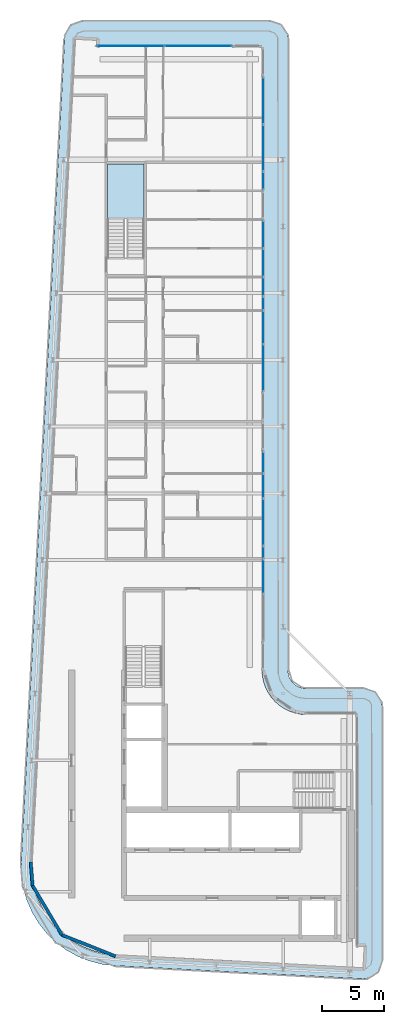
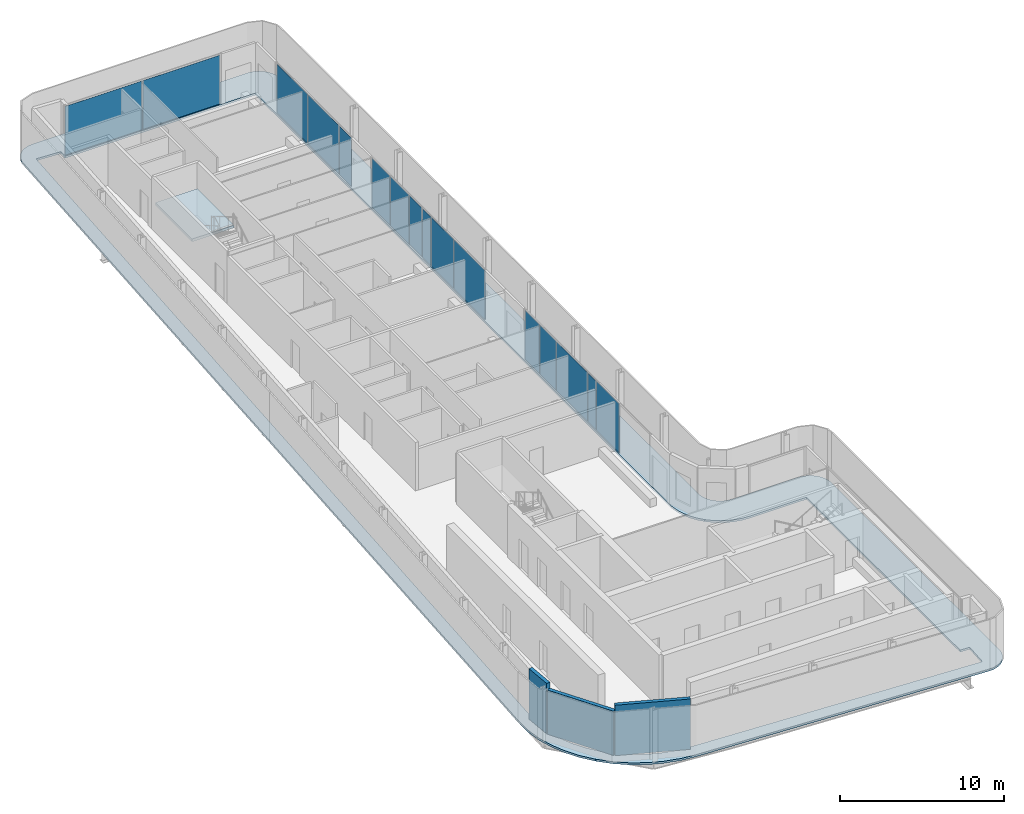
# One storey, part 8 of 18: 16 plates, 3 walls, 2 slabs, 8 elements without a shape of their own.
"""IFC4 building model written with IfcOpenShell, lengths in metres."""

from ifc_helpers import new_model, si_unit, direction, frame, frame_2d, origin, origin_2d, place, context, subcontext, project, spatial, polyline, rectangle, outline, extrude, material, layer, layer_set, type_object, element, aggregate, save


model = new_model("IFC4")

# Units and contexts
model_context = context("Model", 3, precision=1e-05, world=origin(), true_north=direction((0.0, 1.0)))
body_context = subcontext(model_context, "Body", "Model", "MODEL_VIEW")
ifc_project = project(units=[si_unit("LENGTHUNIT", "METRE"), si_unit("AREAUNIT", "SQUARE_METRE"), si_unit("VOLUMEUNIT", "CUBIC_METRE"), si_unit("PLANEANGLEUNIT", "RADIAN"), si_unit("MASSUNIT", "GRAM", prefix="KILO")], contexts=[model_context])

# Site, building, storey
site_placement = place(None, origin())
site = spatial("IfcSite", under=ifc_project, at=site_placement, CompositionType="ELEMENT")
building_placement = place(site_placement, origin())
building = spatial("IfcBuilding", under=site, at=building_placement, Name="Kheshtan School and Residences Tower", CompositionType="ELEMENT")
storey_placement = place(building_placement, frame((0.0, 0.0, 369.5)))
storey = spatial("IfcBuildingStorey", under=building, at=storey_placement, Name="L87", CompositionType="ELEMENT", Elevation=369.5)

# Curtain wall, plates
ifc_material_1 = material(Name="Clear low-e glass in thermally broken aluminium frame", Category="aluminium")
ifc_layer_1 = layer(ifc_material_1, 0.199951171875)
ifc_layer_set_1 = layer_set([ifc_layer_1], Name="Curtain wall CW-L")
curtain_wall_type = type_object("IfcCurtainWallType", Name="Curtain wall CW-L", PredefinedType="NOTDEFINED", material=ifc_layer_set_1)
curtain_wall_1_placement = place(storey_placement, origin())
curtain_wall_1 = element("IfcCurtainWall", 1, at=curtain_wall_1_placement, inside=storey, type_object=curtain_wall_type, Name="Curtain wall CWL7", PredefinedType="NOTDEFINED")
ifc_layer_2 = layer(ifc_material_1, 0.031982421875)
ifc_layer_set_2 = layer_set([ifc_layer_2], Name="CW-L glass panel")
plate_type = type_object("IfcPlateType", Name="CW-L glass panel", PredefinedType="CURTAIN_PANEL", material=ifc_layer_set_2)
plate_1_placement = place(storey_placement, frame((35.259033203125, 98.0, 0.0), z_axis=(0.0, 0.0, 1.0), x_axis=(1.0, 0.0, 0.0)))
plate_1 = element("IfcPlate", 2, at=plate_1_placement, type_object=plate_type, Name="CWL7 panel 1.1", PredefinedType="CURTAIN_PANEL", context=body_context, shape_type="SweptSolid", body=[
    extrude(rectangle(XDim=5.4140625, YDim=0.031982421875, at=origin_2d()), origin(), (0.0, 0.0, 1.0), 3.6298828125),
])
plate_2_placement = place(storey_placement, frame((40.73291015625, 98.0, 0.0), z_axis=(0.0, 0.0, 1.0), x_axis=(1.0, 0.0, 0.0)))
plate_2 = element("IfcPlate", 3, at=plate_2_placement, type_object=plate_type, Name="CWL7 panel 2.1", PredefinedType="CURTAIN_PANEL", context=body_context, shape_type="SweptSolid", body=[
    extrude(rectangle(XDim=5.4140625, YDim=0.031982421875, at=origin_2d()), origin(), (0.0, 0.0, 1.0), 3.6298828125),
])
aggregate(curtain_wall_1, [plate_1, plate_2])

curtain_wall_2_placement = place(storey_placement, origin())
curtain_wall_2 = element("IfcCurtainWall", 4, at=curtain_wall_2_placement, inside=storey, type_object=curtain_wall_type, Name="Curtain wall CWL8", PredefinedType="NOTDEFINED")
plate_3_placement = place(storey_placement, frame((46.0, 93.5615234375, 0.0), z_axis=(0.0, 0.0, 1.0), x_axis=(0.0, -1.0, 0.0)))
plate_3 = element("IfcPlate", 5, at=plate_3_placement, type_object=plate_type, Name="CWL8 panel 1.1", PredefinedType="CURTAIN_PANEL", context=body_context, shape_type="SweptSolid", body=[
    extrude(rectangle(XDim=3.757080078125, YDim=0.031982421875, at=origin_2d()), origin(), (0.0, 0.0, 1.0), 3.6298828125),
])
plate_4_placement = place(storey_placement, frame((46.0, 89.744384765625, 0.0), z_axis=(0.0, 0.0, 1.0), x_axis=(0.0, -1.0, 0.0)))
plate_4 = element("IfcPlate", 6, at=plate_4_placement, type_object=plate_type, Name="CWL8 panel 2.1", PredefinedType="CURTAIN_PANEL", context=body_context, shape_type="SweptSolid", body=[
    extrude(rectangle(XDim=3.757080078125, YDim=0.031982421875, at=origin_2d()), origin(), (0.0, 0.0, 1.0), 3.6298828125),
])
aggregate(curtain_wall_2, [plate_3, plate_4])

# Curtain wall, plate
curtain_wall_3_placement = place(storey_placement, origin())
curtain_wall_3 = element("IfcCurtainWall", 7, at=curtain_wall_3_placement, inside=storey, type_object=curtain_wall_type, Name="Curtain wall CWL8a", PredefinedType="NOTDEFINED")
plate_5_placement = place(storey_placement, frame((46.0, 87.0859375, 0.0), z_axis=(0.0, 0.0, 1.0), x_axis=(0.0, -1.0, 0.0)))
plate_5 = element("IfcPlate", 8, at=plate_5_placement, type_object=plate_type, Name="CWL8a panel 1.1", PredefinedType="CURTAIN_PANEL", context=body_context, shape_type="SweptSolid", body=[
    extrude(rectangle(XDim=1.43994140625, YDim=0.031982421875, at=origin_2d()), origin(), (0.0, 0.0, 1.0), 3.6298828125),
])
aggregate(curtain_wall_3, [plate_5])

# Curtain wall, plates
curtain_wall_4_placement = place(storey_placement, origin())
curtain_wall_4 = element("IfcCurtainWall", 9, at=curtain_wall_4_placement, inside=storey, type_object=curtain_wall_type, Name="Curtain wall CWL8b", PredefinedType="NOTDEFINED")
plate_6_placement = place(storey_placement, frame((46.0, 82.75048828125, 0.0), z_axis=(0.0, 0.0, 1.0), x_axis=(0.0, -1.0, 0.0)))
plate_6 = element("IfcPlate", 10, at=plate_6_placement, type_object=plate_type, Name="CWL8b panel 1.1", PredefinedType="CURTAIN_PANEL", context=body_context, shape_type="SweptSolid", body=[
    extrude(rectangle(XDim=2.19091796875, YDim=0.031982421875, at=origin_2d()), origin(), (0.0, 0.0, 1.0), 3.6298828125),
])
plate_7_placement = place(storey_placement, frame((46.0, 80.46240234375, 0.0), z_axis=(0.0, 0.0, 1.0), x_axis=(0.0, -1.0, 0.0)))
plate_7 = element("IfcPlate", 11, at=plate_7_placement, type_object=plate_type, Name="CWL8b panel 2.1", PredefinedType="CURTAIN_PANEL", context=body_context, shape_type="SweptSolid", body=[
    extrude(rectangle(XDim=2.264892578125, YDim=0.031982421875, at=origin_2d()), origin(), (0.0, 0.0, 1.0), 3.6298828125),
])
plate_8_placement = place(storey_placement, frame((46.0, 78.52099609375, 0.0), z_axis=(0.0, 0.0, 1.0), x_axis=(0.0, -1.0, 0.0)))
plate_8 = element("IfcPlate", 12, at=plate_8_placement, type_object=plate_type, Name="CWL8b panel 3.1", PredefinedType="CURTAIN_PANEL", context=body_context, shape_type="SweptSolid", body=[
    extrude(rectangle(XDim=1.498046875, YDim=0.031982421875, at=origin_2d()), origin(), (0.0, 0.0, 1.0), 3.6298828125),
])
aggregate(curtain_wall_4, [plate_6, plate_7, plate_8])

curtain_wall_5_placement = place(storey_placement, origin())
curtain_wall_5 = element("IfcCurtainWall", 13, at=curtain_wall_5_placement, inside=storey, type_object=curtain_wall_type, Name="Curtain wall CWL8c", PredefinedType="NOTDEFINED")
plate_9_placement = place(storey_placement, frame((46.0, 77.1708984375, 0.0), z_axis=(0.0, 0.0, 1.0), x_axis=(0.0, -1.0, 0.0)))
plate_9 = element("IfcPlate", 14, at=plate_9_placement, type_object=plate_type, Name="CWL8c panel 1.1", PredefinedType="CURTAIN_PANEL", context=body_context, shape_type="SweptSolid", body=[
    extrude(rectangle(XDim=1.08203125, YDim=0.031982421875, at=origin_2d()), origin(), (0.0, 0.0, 1.0), 3.6298828125),
])
plate_10_placement = place(storey_placement, frame((46.0, 75.232421875, 0.0), z_axis=(0.0, 0.0, 1.0), x_axis=(0.0, -1.0, 0.0)))
plate_10 = element("IfcPlate", 15, at=plate_10_placement, type_object=plate_type, Name="CWL8c panel 2.1", PredefinedType="CURTAIN_PANEL", context=body_context, shape_type="SweptSolid", body=[
    extrude(rectangle(XDim=2.675048828125, YDim=0.031982421875, at=origin_2d()), origin(), (0.0, 0.0, 1.0), 3.6298828125),
])
plate_11_placement = place(storey_placement, frame((46.0, 71.95654296875, 0.0), z_axis=(0.0, 0.0, 1.0), x_axis=(0.0, -1.0, 0.0)))
plate_11 = element("IfcPlate", 16, at=plate_11_placement, type_object=plate_type, Name="CWL8c panel 3.1", PredefinedType="CURTAIN_PANEL", context=body_context, shape_type="SweptSolid", body=[
    extrude(rectangle(XDim=3.757080078125, YDim=0.031982421875, at=origin_2d()), origin(), (0.0, 0.0, 1.0), 3.6298828125),
])
aggregate(curtain_wall_5, [plate_9, plate_10, plate_11])

curtain_wall_6_placement = place(storey_placement, origin())
curtain_wall_6 = element("IfcCurtainWall", 17, at=curtain_wall_6_placement, inside=storey, type_object=curtain_wall_type, Name="Curtain wall CWL8c", PredefinedType="NOTDEFINED")
plate_12_placement = place(storey_placement, frame((46.0, 64.2939453125, 0.0), z_axis=(0.0, 0.0, 1.0), x_axis=(0.0, -1.0, 0.0)))
plate_12 = element("IfcPlate", 18, at=plate_12_placement, type_object=plate_type, Name="CWL8c panel 1.1", PredefinedType="CURTAIN_PANEL", context=body_context, shape_type="SweptSolid", body=[
    extrude(rectangle(XDim=1.72802734375, YDim=0.031982421875, at=origin_2d()), origin(), (0.0, 0.0, 1.0), 3.6298828125),
])
plate_13_placement = place(storey_placement, frame((46.0, 62.385498046875, 0.0), z_axis=(0.0, 0.0, 1.0), x_axis=(0.0, -1.0, 0.0)))
plate_13 = element("IfcPlate", 19, at=plate_13_placement, type_object=plate_type, Name="CWL8c panel 2.1", PredefinedType="CURTAIN_PANEL", context=body_context, shape_type="SweptSolid", body=[
    extrude(rectangle(XDim=1.968994140625, YDim=0.031982421875, at=origin_2d()), origin(), (0.0, 0.0, 1.0), 3.6298828125),
])
plate_14_placement = place(storey_placement, frame((46.0, 59.46240234375, 0.0), z_axis=(0.0, 0.0, 1.0), x_axis=(0.0, -1.0, 0.0)))
plate_14 = element("IfcPlate", 20, at=plate_14_placement, type_object=plate_type, Name="CWL8c panel 3.1", PredefinedType="CURTAIN_PANEL", context=body_context, shape_type="SweptSolid", body=[
    extrude(rectangle(XDim=3.757080078125, YDim=0.031982421875, at=origin_2d()), origin(), (0.0, 0.0, 1.0), 3.6298828125),
])
aggregate(curtain_wall_6, [plate_12, plate_13, plate_14])

curtain_wall_7_placement = place(storey_placement, origin())
curtain_wall_7 = element("IfcCurtainWall", 21, at=curtain_wall_7_placement, inside=storey, type_object=curtain_wall_type, Name="Curtain wall CWL8c", PredefinedType="NOTDEFINED")
plate_15_placement = place(storey_placement, frame((46.0, 57.027099609375, 0.0), z_axis=(0.0, 0.0, 1.0), x_axis=(0.0, -1.0, 0.0)))
plate_15 = element("IfcPlate", 22, at=plate_15_placement, type_object=plate_type, Name="CWL8c panel 1.1", PredefinedType="CURTAIN_PANEL", context=body_context, shape_type="SweptSolid", body=[
    extrude(rectangle(XDim=0.993896484375, YDim=0.031982421875, at=origin_2d()), origin(), (0.0, 0.0, 1.0), 3.6298828125),
])
plate_16_placement = place(storey_placement, frame((46.0, 55.08837890625, 0.0), z_axis=(0.0, 0.0, 1.0), x_axis=(0.0, -1.0, 0.0)))
plate_16 = element("IfcPlate", 23, at=plate_16_placement, type_object=plate_type, Name="CWL8c panel 2.1", PredefinedType="CURTAIN_PANEL", context=body_context, shape_type="SweptSolid", body=[
    extrude(rectangle(XDim=2.762939453125, YDim=0.031982421875, at=origin_2d()), origin(), (0.0, 0.0, 1.0), 3.6298828125),
])
aggregate(curtain_wall_7, [plate_15, plate_16])

# Slab
ifc_material_2 = material(Name="Concrete C40/50", Category="concrete")
ifc_layer_3 = layer(ifc_material_2, 0.14990234375)
ifc_layer_set_3 = layer_set([ifc_layer_3], Name="Loggia balcony slab 150 Concrete C40/50")
slab_type_1 = type_object("IfcSlabType", Name="Loggia balcony slab 150 Concrete C40/50", PredefinedType="FLOOR", material=ifc_layer_set_3)
slab_1_placement = place(storey_placement, frame((0.0, 0.0, -0.14990234375)))
element("IfcSlab", 24, at=slab_1_placement, inside=storey, type_object=slab_type_1, Name="Loggia balcony slab L87", PredefinedType="FLOOR", context=body_context, shape_type="SweptSolid", body=[
    extrude(outline(polyline([(28.4580078125, 26.222900390625), (28.45703125, 26.222900390625), (28.45703125, 26.22412109375), (28.4560546875, 26.22412109375), (27.81494140625, 27.0390625), (27.281005859375, 27.93798828125), (26.867919921875, 28.89990234375), (26.583984375, 29.89990234375), (26.583984375, 29.906982421875), (26.43408203125, 30.943115234375), (26.419921875, 31.989013671875), (29.925048828125, 98.5791015625), (29.930908203125, 98.626953125), (29.930908203125, 98.6279296875), (29.929931640625, 98.6279296875), (29.929931640625, 98.62890625), (29.928955078125, 98.62890625), (29.928955078125, 98.6298828125), (29.927978515625, 98.6298828125), (29.927978515625, 98.631103515625), (29.927001953125, 98.631103515625), (29.927001953125, 98.632080078125), (29.927001953125, 98.633056640625), (29.945068359375, 98.781005859375), (29.945068359375, 98.783935546875), (29.945068359375, 98.784912109375), (29.946044921875, 98.784912109375), (29.946044921875, 98.785888671875), (29.947021484375, 98.785888671875), (29.947021484375, 98.787109375), (29.947998046875, 98.787109375), (29.948974609375, 98.787109375), (29.948974609375, 98.7880859375), (29.949951171875, 98.7880859375), (29.949951171875, 98.7890625), (29.949951171875, 98.791015625), (30.0029296875, 98.98388671875), (30.083984375, 99.175048828125), (30.18896484375, 99.35302734375), (30.31103515625, 99.507080078125), (30.31201171875, 99.507080078125), (30.31201171875, 99.508056640625), (30.31298828125, 99.508056640625), (30.31298828125, 99.509033203125), (30.31396484375, 99.509033203125), (30.31396484375, 99.510009765625), (30.31494140625, 99.510009765625), (30.31494140625, 99.510986328125), (30.31591796875, 99.510986328125), (30.31591796875, 99.511962890625), (30.31689453125, 99.511962890625), (30.31689453125, 99.512939453125), (30.318115234375, 99.512939453125), (30.320068359375, 99.512939453125), (30.321044921875, 99.512939453125), (30.321044921875, 99.513916015625), (30.468017578125, 99.656982421875), (30.468994140625, 99.656982421875), (30.468994140625, 99.657958984375), (30.469970703125, 99.657958984375), (30.469970703125, 99.658935546875), (30.470947265625, 99.658935546875), (30.470947265625, 99.659912109375), (30.471923828125, 99.659912109375), (30.471923828125, 99.660888671875), (30.472900390625, 99.660888671875), (30.472900390625, 99.662109375), (30.47412109375, 99.662109375), (30.47412109375, 99.6630859375), (30.47509765625, 99.6630859375), (30.47509765625, 99.6640625), (30.635986328125, 99.777099609375), (30.820068359375, 99.873046875), (31.007080078125, 99.943115234375), (31.013916015625, 99.943115234375), (31.217041015625, 99.986083984375), (31.423095703125, 100.0), (46.5, 100.0), (46.696044921875, 99.987060546875), (46.887939453125, 99.948974609375), (46.89501953125, 99.948974609375), (47.073974609375, 99.885986328125), (47.242919921875, 99.801025390625), (47.243896484375, 99.801025390625), (47.2470703125, 99.801025390625), (47.248046875, 99.801025390625), (47.248046875, 99.802001953125), (47.2490234375, 99.802001953125), (47.2490234375, 99.802978515625), (47.25, 99.802978515625), (47.2529296875, 99.802978515625), (47.25390625, 99.802978515625), (47.25390625, 99.802001953125), (47.2548828125, 99.802001953125), (47.2548828125, 99.801025390625), (47.256103515625, 99.801025390625), (47.256103515625, 99.800048828125), (47.257080078125, 99.800048828125), (47.257080078125, 99.799072265625), (47.258056640625, 99.799072265625), (47.258056640625, 99.798095703125), (47.412109375, 99.696044921875), (47.4130859375, 99.696044921875), (47.4130859375, 99.695068359375), (47.4140625, 99.695068359375), (47.4140625, 99.694091796875), (47.4140625, 99.68994140625), (47.4140625, 99.68896484375), (47.4150390625, 99.68896484375), (47.4150390625, 99.68798828125), (47.416015625, 99.68798828125), (47.416015625, 99.68701171875), (47.4169921875, 99.68701171875), (47.4169921875, 99.68603515625), (47.554931640625, 99.568115234375), (47.554931640625, 99.56689453125), (47.555908203125, 99.56689453125), (47.555908203125, 99.56591796875), (47.556884765625, 99.56591796875), (47.556884765625, 99.56494140625), (47.55810546875, 99.56494140625), (47.55810546875, 99.56396484375), (47.55908203125, 99.56396484375), (47.55908203125, 99.56298828125), (47.56005859375, 99.56298828125), (47.56005859375, 99.56201171875), (47.56103515625, 99.56201171875), (47.56201171875, 99.56103515625), (47.56201171875, 99.56005859375), (47.56298828125, 99.56005859375), (47.56298828125, 99.55908203125), (47.56396484375, 99.55908203125), (47.56396484375, 99.55810546875), (47.56494140625, 99.55810546875), (47.56494140625, 99.556884765625), (47.56591796875, 99.556884765625), (47.56591796875, 99.555908203125), (47.56689453125, 99.555908203125), (47.56689453125, 99.554931640625), (47.568115234375, 99.554931640625), (47.68505859375, 99.41796875), (47.68603515625, 99.41796875), (47.68603515625, 99.4169921875), (47.68701171875, 99.4169921875), (47.68701171875, 99.416015625), (47.68798828125, 99.416015625), (47.68798828125, 99.4150390625), (47.68896484375, 99.4150390625), (47.68896484375, 99.4140625), (47.68994140625, 99.4140625), (47.694091796875, 99.4140625), (47.695068359375, 99.4140625), (47.695068359375, 99.4130859375), (47.696044921875, 99.4130859375), (47.696044921875, 99.412109375), (47.797119140625, 99.259033203125), (47.798095703125, 99.259033203125), (47.798095703125, 99.258056640625), (47.799072265625, 99.258056640625), (47.799072265625, 99.257080078125), (47.800048828125, 99.257080078125), (47.800048828125, 99.256103515625), (47.801025390625, 99.256103515625), (47.801025390625, 99.2548828125), (47.802001953125, 99.2548828125), (47.802001953125, 99.25390625), (47.802978515625, 99.25390625), (47.802978515625, 99.2529296875), (47.802978515625, 99.25), (47.802978515625, 99.2490234375), (47.802001953125, 99.2490234375), (47.802001953125, 99.248046875), (47.801025390625, 99.248046875), (47.801025390625, 99.2470703125), (47.801025390625, 99.243896484375), (47.801025390625, 99.242919921875), (47.885986328125, 99.073974609375), (47.948974609375, 98.89501953125), (47.948974609375, 98.887939453125), (47.987060546875, 98.696044921875), (48.0, 98.5), (48.0, 47.5), (48.012939453125, 47.303955078125), (48.051025390625, 47.113037109375), (48.051025390625, 47.10693359375), (48.051025390625, 47.10595703125), (48.114013671875, 46.926025390625), (48.200927734375, 46.75), (48.31005859375, 46.5869140625), (48.431884765625, 46.444091796875), (48.43310546875, 46.444091796875), (48.43310546875, 46.443115234375), (48.43408203125, 46.443115234375), (48.43408203125, 46.44189453125), (48.43505859375, 46.44189453125), (48.43505859375, 46.44091796875), (48.43603515625, 46.44091796875), (48.43603515625, 46.43994140625), (48.43701171875, 46.43994140625), (48.43701171875, 46.43896484375), (48.43798828125, 46.43896484375), (48.43896484375, 46.43798828125), (48.43896484375, 46.43701171875), (48.43994140625, 46.43701171875), (48.43994140625, 46.43603515625), (48.44091796875, 46.43603515625), (48.44091796875, 46.43505859375), (48.44189453125, 46.43505859375), (48.44189453125, 46.43408203125), (48.443115234375, 46.43408203125), (48.443115234375, 46.43310546875), (48.444091796875, 46.43310546875), (48.444091796875, 46.431884765625), (48.5869140625, 46.31005859375), (48.75, 46.200927734375), (48.926025390625, 46.114013671875), (49.10595703125, 46.051025390625), (49.10693359375, 46.051025390625), (49.113037109375, 46.051025390625), (49.303955078125, 46.012939453125), (49.5, 46.0), (54.10009765625, 46.0), (54.2958984375, 45.987060546875), (54.488037109375, 45.948974609375), (54.4951171875, 45.948974609375), (54.674072265625, 45.885986328125), (54.842041015625, 45.801025390625), (54.843017578125, 45.801025390625), (54.846923828125, 45.801025390625), (54.847900390625, 45.801025390625), (54.847900390625, 45.802001953125), (54.84912109375, 45.802001953125), (54.84912109375, 45.802978515625), (54.85009765625, 45.802978515625), (54.85302734375, 45.802978515625), (54.85400390625, 45.802978515625), (54.85400390625, 45.802001953125), (54.85498046875, 45.802001953125), (54.85498046875, 45.801025390625), (54.85595703125, 45.801025390625), (54.85595703125, 45.800048828125), (54.85693359375, 45.800048828125), (54.85693359375, 45.799072265625), (54.85791015625, 45.799072265625), (54.85791015625, 45.798095703125), (54.85888671875, 45.798095703125), (54.85888671875, 45.797119140625), (54.860107421875, 45.797119140625), (54.860107421875, 45.7958984375), (55.011962890625, 45.696044921875), (55.012939453125, 45.696044921875), (55.012939453125, 45.695068359375), (55.013916015625, 45.695068359375), (55.013916015625, 45.694091796875), (55.013916015625, 45.68994140625), (55.013916015625, 45.68896484375), (55.014892578125, 45.68896484375), (55.014892578125, 45.68798828125), (55.01611328125, 45.68798828125), (55.01611328125, 45.68701171875), (55.01708984375, 45.68701171875), (55.01708984375, 45.68603515625), (55.01806640625, 45.68603515625), (55.01806640625, 45.68505859375), (55.01904296875, 45.68505859375), (55.01904296875, 45.68408203125), (55.155029296875, 45.568115234375), (55.155029296875, 45.56689453125), (55.156005859375, 45.56689453125), (55.156005859375, 45.56591796875), (55.156982421875, 45.56591796875), (55.156982421875, 45.56494140625), (55.157958984375, 45.56494140625), (55.157958984375, 45.56396484375), (55.158935546875, 45.56396484375), (55.158935546875, 45.56298828125), (55.159912109375, 45.56298828125), (55.159912109375, 45.56201171875), (55.160888671875, 45.56201171875), (55.162109375, 45.56103515625), (55.162109375, 45.56005859375), (55.1630859375, 45.56005859375), (55.1630859375, 45.55908203125), (55.1640625, 45.55908203125), (55.1640625, 45.55810546875), (55.1650390625, 45.55810546875), (55.1650390625, 45.556884765625), (55.166015625, 45.556884765625), (55.166015625, 45.555908203125), (55.1669921875, 45.555908203125), (55.1669921875, 45.554931640625), (55.16796875, 45.554931640625), (55.281982421875, 45.4208984375), (55.282958984375, 45.4208984375), (55.282958984375, 45.419921875), (55.283935546875, 45.419921875), (55.283935546875, 45.4189453125), (55.284912109375, 45.4189453125), (55.284912109375, 45.41796875), (55.285888671875, 45.41796875), (55.285888671875, 45.4169921875), (55.287109375, 45.4169921875), (55.287109375, 45.416015625), (55.2880859375, 45.416015625), (55.2880859375, 45.4150390625), (55.2890625, 45.4150390625), (55.2890625, 45.4140625), (55.2900390625, 45.4140625), (55.2939453125, 45.4140625), (55.294921875, 45.4140625), (55.294921875, 45.4130859375), (55.2958984375, 45.4130859375), (55.2958984375, 45.412109375), (55.39404296875, 45.261962890625), (55.39501953125, 45.261962890625), (55.39501953125, 45.260986328125), (55.39599609375, 45.260986328125), (55.39599609375, 45.260009765625), (55.39697265625, 45.260009765625), (55.39697265625, 45.259033203125), (55.39794921875, 45.259033203125), (55.39794921875, 45.258056640625), (55.39892578125, 45.258056640625), (55.39892578125, 45.257080078125), (55.39990234375, 45.257080078125), (55.39990234375, 45.256103515625), (55.40087890625, 45.256103515625), (55.40087890625, 45.2548828125), (55.402099609375, 45.2548828125), (55.402099609375, 45.25390625), (55.403076171875, 45.25390625), (55.403076171875, 45.2529296875), (55.403076171875, 45.25), (55.403076171875, 45.2490234375), (55.402099609375, 45.2490234375), (55.402099609375, 45.248046875), (55.40087890625, 45.248046875), (55.40087890625, 45.2470703125), (55.40087890625, 45.240966796875), (55.40087890625, 45.239990234375), (55.486083984375, 45.073974609375), (55.549072265625, 44.89501953125), (55.549072265625, 44.887939453125), (55.5869140625, 44.696044921875), (55.60009765625, 44.5), (55.60009765625, 24.02294921875), (55.5859375, 23.821044921875), (55.544921875, 23.6220703125), (55.544921875, 23.614990234375), (55.47802734375, 23.430908203125), (55.385986328125, 23.25), (55.27099609375, 23.0849609375), (55.27099609375, 23.083984375), (55.27099609375, 23.0830078125), (55.27099609375, 23.08203125), (55.27197265625, 23.08203125), (55.27197265625, 23.0810546875), (55.27197265625, 23.0791015625), (55.27197265625, 23.077880859375), (55.27099609375, 23.077880859375), (55.27099609375, 23.076904296875), (55.137939453125, 22.93408203125), (55.135009765625, 22.930908203125), (55.134033203125, 22.930908203125), (55.134033203125, 22.929931640625), (55.133056640625, 22.929931640625), (55.131103515625, 22.929931640625), (55.1298828125, 22.929931640625), (55.1298828125, 22.930908203125), (55.12890625, 22.930908203125), (55.1279296875, 22.930908203125), (55.126953125, 22.930908203125), (54.97607421875, 22.805908203125), (54.803955078125, 22.698974609375), (54.618896484375, 22.615966796875), (54.430908203125, 22.55908203125), (54.424072265625, 22.55908203125), (54.22412109375, 22.528076171875), (54.02099609375, 22.52490234375), (33.989013671875, 23.580078125), (33.94189453125, 23.5859375), (33.94091796875, 23.5859375), (33.93994140625, 23.5859375), (33.93994140625, 23.5849609375), (33.93896484375, 23.5849609375), (33.93896484375, 23.583984375), (33.93798828125, 23.583984375), (33.93798828125, 23.5830078125), (33.93701171875, 23.5830078125), (33.93701171875, 23.58203125), (33.93603515625, 23.58203125), (33.93505859375, 23.58203125), (32.952880859375, 23.697998046875), (32.949951171875, 23.697998046875), (32.948974609375, 23.697998046875), (32.948974609375, 23.698974609375), (32.947998046875, 23.698974609375), (32.947998046875, 23.699951171875), (32.947021484375, 23.699951171875), (32.947021484375, 23.700927734375), (32.947021484375, 23.702880859375), (32.947021484375, 23.7041015625), (32.946044921875, 23.7041015625), (32.946044921875, 23.705078125), (32.945068359375, 23.705078125), (32.944091796875, 23.705078125), (31.93603515625, 23.9609375), (31.928955078125, 23.9609375), (30.964111328125, 24.34912109375), (30.051025390625, 24.860107421875), (29.218994140625, 25.47900390625), (29.218994140625, 25.47998046875), (29.218017578125, 25.47998046875), (29.218017578125, 25.48095703125), (29.217041015625, 25.48095703125), (29.217041015625, 25.48193359375), (29.216064453125, 25.48193359375), (29.216064453125, 25.48291015625), (29.215087890625, 25.48291015625), (29.215087890625, 25.48388671875), (29.214111328125, 25.48388671875), (29.214111328125, 25.485107421875), (29.212890625, 25.485107421875), (29.212890625, 25.486083984375), (29.2119140625, 25.486083984375), (28.466064453125, 26.217041015625), (28.466064453125, 26.218017578125), (28.465087890625, 26.218017578125), (28.462890625, 26.218017578125), (28.4619140625, 26.218017578125), (28.4619140625, 26.218994140625), (28.4609375, 26.218994140625), (28.4609375, 26.219970703125), (28.4599609375, 26.219970703125), (28.4599609375, 26.220947265625), (28.458984375, 26.220947265625), (28.458984375, 26.221923828125), (28.4580078125, 26.221923828125), (28.4580078125, 26.222900390625)]), holes=[polyline([(29.12890625, 26.824951171875), (29.12890625, 26.823974609375), (29.1298828125, 26.823974609375), (29.1298828125, 26.822998046875), (29.131103515625, 26.822998046875), (29.131103515625, 26.822021484375), (29.132080078125, 26.822021484375), (29.132080078125, 26.821044921875), (29.133056640625, 26.821044921875), (29.133056640625, 26.820068359375), (29.134033203125, 26.820068359375), (29.794921875, 26.173095703125), (29.794921875, 26.172119140625), (29.7958984375, 26.172119140625), (29.798095703125, 26.172119140625), (29.799072265625, 26.172119140625), (29.799072265625, 26.1708984375), (29.800048828125, 26.1708984375), (29.800048828125, 26.169921875), (29.801025390625, 26.169921875), (29.801025390625, 26.1689453125), (29.802001953125, 26.1689453125), (29.802001953125, 26.16796875), (29.802978515625, 26.16796875), (29.802978515625, 26.1669921875), (29.803955078125, 26.1669921875), (29.803955078125, 26.166015625), (30.541015625, 25.616943359375), (31.35205078125, 25.1630859375), (32.208984375, 24.819091796875), (32.2099609375, 24.819091796875), (32.216064453125, 24.819091796875), (33.114990234375, 24.590087890625), (34.06591796875, 24.47705078125), (54.0380859375, 23.425048828125), (54.06494140625, 23.426025390625), (54.06591796875, 23.426025390625), (54.06689453125, 23.426025390625), (54.06689453125, 23.427001953125), (54.068115234375, 23.427001953125), (54.068115234375, 23.427978515625), (54.068115234375, 23.428955078125), (54.157958984375, 25.117919921875), (54.157958984375, 25.118896484375), (54.157958984375, 25.1201171875), (54.156982421875, 25.1201171875), (54.156982421875, 25.12109375), (54.156005859375, 25.12109375), (54.155029296875, 25.12109375), (53.5009765625, 25.156005859375), (53.5, 25.156005859375), (53.5, 25.156982421875), (53.5, 43.89794921875), (53.5, 43.89892578125), (53.4990234375, 43.89892578125), (53.4990234375, 43.89990234375), (53.498046875, 43.89990234375), (49.429931640625, 43.89990234375), (49.030029296875, 43.927001953125), (48.569091796875, 44.01806640625), (48.56201171875, 44.01806640625), (48.1201171875, 44.169921875), (47.697021484375, 44.37890625), (47.30810546875, 44.638916015625), (46.95703125, 44.944091796875), (46.95703125, 44.945068359375), (46.9560546875, 44.945068359375), (46.9560546875, 44.946044921875), (46.955078125, 44.946044921875), (46.955078125, 44.947021484375), (46.9541015625, 44.947021484375), (46.9541015625, 44.947998046875), (46.952880859375, 44.947998046875), (46.952880859375, 44.948974609375), (46.951904296875, 44.948974609375), (46.951904296875, 44.949951171875), (46.951904296875, 44.950927734375), (46.950927734375, 44.950927734375), (46.950927734375, 44.951904296875), (46.949951171875, 44.951904296875), (46.948974609375, 44.951904296875), (46.948974609375, 44.952880859375), (46.947998046875, 44.952880859375), (46.947998046875, 44.9541015625), (46.947021484375, 44.9541015625), (46.947021484375, 44.955078125), (46.946044921875, 44.955078125), (46.946044921875, 44.9560546875), (46.945068359375, 44.9560546875), (46.945068359375, 44.95703125), (46.944091796875, 44.95703125), (46.638916015625, 45.30810546875), (46.37890625, 45.697021484375), (46.169921875, 46.1201171875), (46.01806640625, 46.56201171875), (46.01806640625, 46.569091796875), (45.927001953125, 47.030029296875), (45.89990234375, 47.429931640625), (45.89990234375, 97.89794921875), (45.89990234375, 97.89892578125), (45.89892578125, 97.89892578125), (45.89892578125, 97.89990234375), (45.89794921875, 97.89990234375), (32.492919921875, 97.89990234375), (32.491943359375, 97.89990234375), (32.52099609375, 98.43896484375), (32.52099609375, 98.43994140625), (32.52099609375, 98.44091796875), (32.52001953125, 98.44091796875), (32.52001953125, 98.44189453125), (32.51904296875, 98.44189453125), (32.51806640625, 98.44189453125), (30.8291015625, 98.531982421875), (30.827880859375, 98.531982421875), (30.826904296875, 98.531982421875), (30.826904296875, 98.531005859375), (30.825927734375, 98.531005859375), (30.825927734375, 98.530029296875), (30.825927734375, 98.529052734375), (30.822021484375, 98.5009765625), (27.320068359375, 31.970947265625), (27.3330078125, 31.013916015625), (27.466064453125, 30.093994140625), (27.466064453125, 30.087890625), (27.466064453125, 30.0869140625), (27.718017578125, 29.200927734375), (28.0849609375, 28.345947265625), (28.55908203125, 27.550048828125), (29.126953125, 26.825927734375), (29.1279296875, 26.825927734375), (29.1279296875, 26.824951171875), (29.12890625, 26.824951171875)])]), origin(), (0.0, 0.0, 1.0), 0.14990234375),
])

# Stair, slab
stair_type = type_object("IfcStairType", Name="Exit stair, half-turn", PredefinedType="HALF_TURN_STAIR", material=ifc_material_2)
stair_placement = place(storey_placement, origin())
stair = element("IfcStair", 25, at=stair_placement, inside=storey, type_object=stair_type, Name="L87 Protected Exit Stair ST3", PredefinedType="HALF_TURN_STAIR")
ifc_layer_4 = layer(ifc_material_2, 0.199951171875)
ifc_layer_set_4 = layer_set([ifc_layer_4], Name="Stair landing 200 Concrete C40/50")
slab_type_2 = type_object("IfcSlabType", Name="Stair landing 200 Concrete C40/50", PredefinedType="LANDING", material=ifc_layer_set_4)
slab_2_placement = place(storey_placement, frame((0.0, 0.0, 1.75)))
slab_2 = element("IfcSlab", 26, at=slab_2_placement, type_object=slab_type_2, Name="ST3 landing 1", PredefinedType="LANDING", context=body_context, shape_type="SweptSolid", body=[
    extrude(outline(polyline([(36.35009765625, 83.97998046875), (36.35009765625, 88.4599609375), (33.39990234375, 88.4599609375), (33.39990234375, 83.97998046875), (36.35009765625, 83.97998046875)])), origin(), (0.0, 0.0, 1.0), 0.199951171875),
])
aggregate(stair, [slab_2])

# Walls
ifc_material_3 = material(Name="Concrete C40/50 with ceramic cladding and mineral wool insulation", Category="concrete")
ifc_layer_5 = layer(ifc_material_3, 0.25)
ifc_layer_set_5 = layer_set([ifc_layer_5], Name="External wall 250 ceramic clad")
wall_type = type_object("IfcWallType", Name="External wall 250 ceramic clad", PredefinedType="SOLIDWALL", material=ifc_layer_set_5)
wall_1_placement = place(storey_placement, frame((34.0390625, 24.35302734375, 0.0), z_axis=(0.0, 0.0, 1.0), x_axis=(-0.929352825399, 0.369192803184, 0.0)))
element("IfcWall", 27, at=wall_1_placement, inside=storey, type_object=wall_type, Name="External wall L87 1", PredefinedType="SOLIDWALL", context=body_context, shape_type="SweptSolid", body=[
    extrude(rectangle(XDim=4.656005859375, YDim=0.25, at=frame_2d((2.328125, 0.0))), origin(), (0.0, 0.0, 1.0), 3.75),
])
wall_2_placement = place(storey_placement, frame((29.7119140625, 26.072021484375, 0.0), z_axis=(0.0, 0.0, 1.0), x_axis=(-0.511028049012, 0.859564036662, 0.0)))
element("IfcWall", 28, at=wall_2_placement, inside=storey, type_object=wall_type, Name="External wall L87 2", PredefinedType="SOLIDWALL", context=body_context, shape_type="SweptSolid", body=[
    extrude(rectangle(XDim=4.633544921875, YDim=0.25, at=frame_2d((2.31689453125, 0.0))), origin(), (0.0, 0.0, 1.0), 3.29296875),
])
wall_3_placement = place(storey_placement, frame((27.343994140625, 30.054931640625, 0.0), z_axis=(0.0, 0.0, 1.0), x_axis=(-0.077571675317, 0.99698677784, 0.0)))
element("IfcWall", 29, at=wall_3_placement, inside=storey, type_object=wall_type, Name="External wall L87 3", PredefinedType="SOLIDWALL", context=body_context, shape_type="SweptSolid", body=[
    extrude(rectangle(XDim=1.919921875, YDim=0.25, at=frame_2d((0.9599609375, 0.0))), origin(), (0.0, 0.0, 1.0), 3.75),
])

save(model, "model.ifc")
